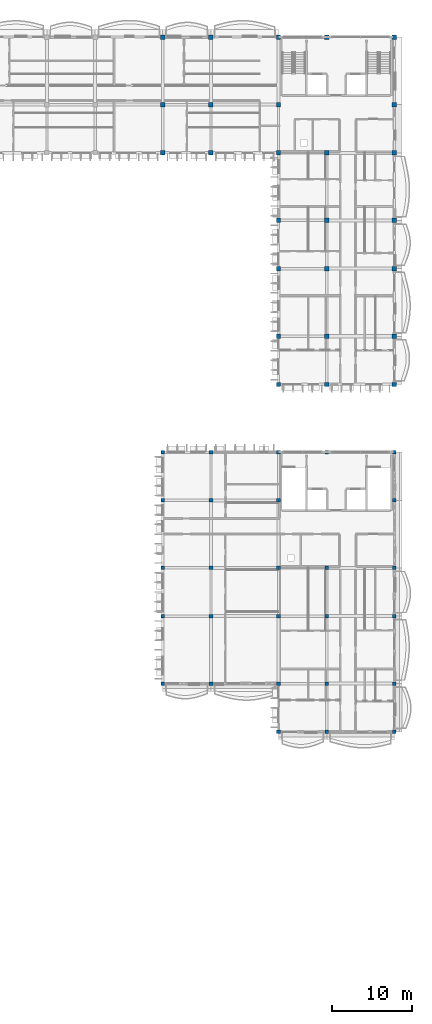
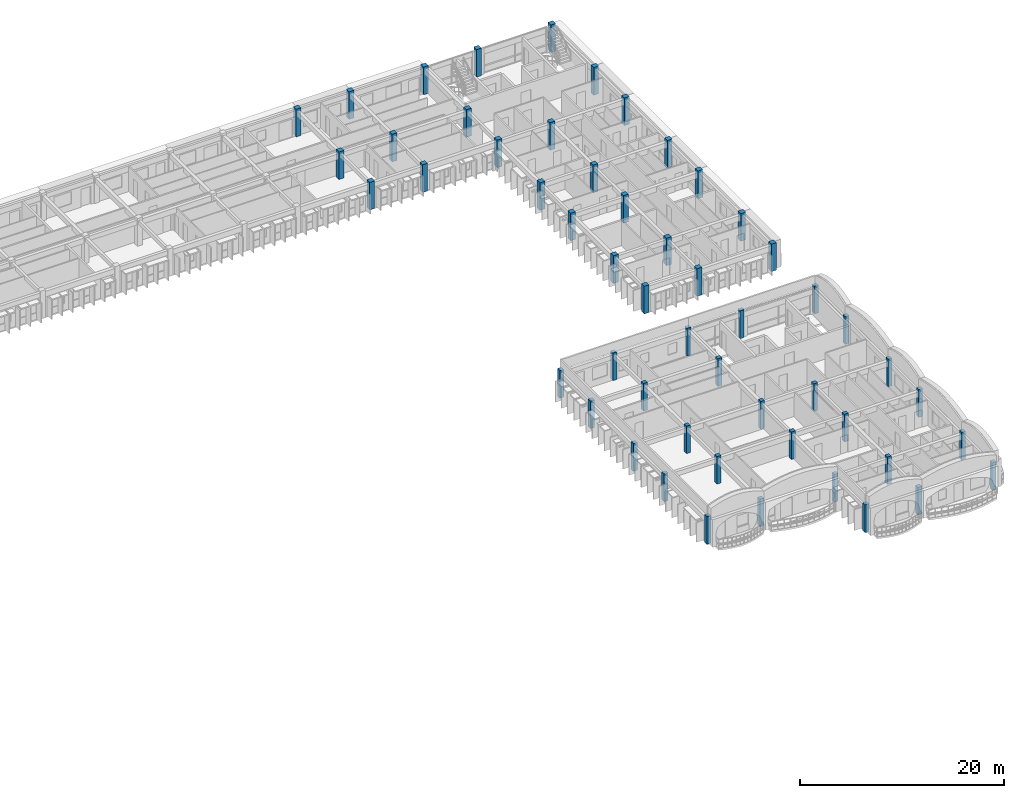
# One storey, part 2 of 59: 53 columns.
"""IFC4 building model written with IfcOpenShell, lengths in metres."""

from ifc_helpers import new_model, si_unit, direction, frame, origin, origin_2d, place, context, subcontext, project, spatial, rectangle, extrude, material, material_profile, profile_set, type_object, element, save


model = new_model("IFC4")

# Units and contexts
model_context = context("Model", 3, precision=1e-05, world=origin(), true_north=direction((0.0, 1.0)))
body_context = subcontext(model_context, "Body", "Model", "MODEL_VIEW")
ifc_project = project(units=[si_unit("LENGTHUNIT", "METRE"), si_unit("AREAUNIT", "SQUARE_METRE"), si_unit("VOLUMEUNIT", "CUBIC_METRE"), si_unit("PLANEANGLEUNIT", "RADIAN"), si_unit("MASSUNIT", "GRAM", prefix="KILO"), si_unit("THERMODYNAMICTEMPERATUREUNIT", "KELVIN")], contexts=[model_context])

# Site, building, storey
site_placement = place(None, origin())
site = spatial("IfcSite", under=ifc_project, at=site_placement, CompositionType="ELEMENT")
building_placement = place(site_placement, origin())
building = spatial("IfcBuilding", under=site, at=building_placement, Name="Thalorik Housing Commons", CompositionType="ELEMENT")
storey_placement = place(building_placement, frame((0.0, 0.0, 27.89990234375)))
storey = spatial("IfcBuildingStorey", under=building, at=storey_placement, Name="L08", CompositionType="ELEMENT", Elevation=27.89990234375)

# Columns
ifc_material = material(Name="Precast concrete C40/50", Category="concrete")
ifc_material_profile_1 = material_profile(ifc_material, rectangle(XDim=0.449951171875, YDim=0.449951171875, at=origin_2d()), Name="PC 450x450", Category="concrete")
ifc_profile_set_1 = profile_set([ifc_material_profile_1], Name="Precast concrete C40/50")
column_type_1 = type_object("IfcColumnType", Name="STR-COL-PC450", PredefinedType="COLUMN", material=ifc_profile_set_1)
for number, where, z_axis, x_axis, name in (
    (1, (138.0, 43.199951171875, 0.0), (0.0, 0.0, 1.0), (1.0, 0.0, 0.0), "L08 Column C-450"),
    (2, (138.0, 51.60009765625, 0.0), (0.0, 0.0, 1.0), (1.0, 0.0, 0.0), "L08 Column C-450"),
    (3, (138.0, 57.60009765625, 0.0), (0.0, 0.0, 1.0), (1.0, 0.0, 0.0), "L08 Column C-450"),
    (4, (138.0, 66.0, 0.0), (0.0, 0.0, 1.0), (1.0, 0.0, 0.0), "L08 Column C-450"),
    (5, (138.0, 72.0, 0.0), (0.0, 0.0, 1.0), (1.0, 0.0, 0.0), "L08 Column C-450"),
    (6, (144.0, 43.199951171875, 0.0), (0.0, 0.0, 1.0), (1.0, 0.0, 0.0), "L08 Column C-450"),
    (7, (144.0, 51.60009765625, 0.0), (0.0, 0.0, 1.0), (1.0, 0.0, 0.0), "L08 Column C-450"),
    (8, (144.0, 57.60009765625, 0.0), (0.0, 0.0, 1.0), (1.0, 0.0, 0.0), "L08 Column C-450"),
    (9, (144.0, 66.0, 0.0), (0.0, 0.0, 1.0), (1.0, 0.0, 0.0), "L08 Column C-450"),
    (10, (144.0, 72.0, 0.0), (0.0, 0.0, 1.0), (1.0, 0.0, 0.0), "L08 Column C-450"),
    (11, (152.39990234375, 37.199951171875, 0.0), (0.0, 0.0, 1.0), (1.0, 0.0, 0.0), "L08 Column C-450"),
    (12, (152.39990234375, 43.199951171875, 0.0), (0.0, 0.0, 1.0), (1.0, 0.0, 0.0), "L08 Column C-450"),
    (13, (152.39990234375, 51.60009765625, 0.0), (0.0, 0.0, 1.0), (1.0, 0.0, 0.0), "L08 Column C-450"),
    (14, (152.39990234375, 57.60009765625, 0.0), (0.0, 0.0, 1.0), (1.0, 0.0, 0.0), "L08 Column C-450"),
    (15, (152.39990234375, 66.0, 0.0), (0.0, 0.0, 1.0), (1.0, 0.0, 0.0), "L08 Column C-450"),
    (16, (152.39990234375, 72.0, 0.0), (0.0, 0.0, 1.0), (1.0, 0.0, 0.0), "L08 Column C-450"),
    (17, (158.39990234375, 37.199951171875, 0.0), (0.0, 0.0, 1.0), (1.0, 0.0, 0.0), "L08 Column C-450"),
    (18, (158.39990234375, 43.199951171875, 0.0), (0.0, 0.0, 1.0), (1.0, 0.0, 0.0), "L08 Column C-450"),
    (19, (158.39990234375, 51.60009765625, 0.0), (0.0, 0.0, 1.0), (1.0, 0.0, 0.0), "L08 Column C-450"),
    (20, (158.39990234375, 57.60009765625, 0.0), (0.0, 0.0, 1.0), (1.0, 0.0, 0.0), "L08 Column C-450"),
    (21, (158.39990234375, 72.0, 0.0), (0.0, 0.0, 1.0), (1.0, 0.0, 0.0), "L08 Column C-450"),
    (22, (166.800048828125, 37.199951171875, 0.0), (0.0, 0.0, 1.0), (1.0, 0.0, 0.0), "L08 Column C-450"),
    (23, (166.800048828125, 43.199951171875, 0.0), (0.0, 0.0, 1.0), (1.0, 0.0, 0.0), "L08 Column C-450"),
    (24, (166.800048828125, 51.60009765625, 0.0), (0.0, 0.0, 1.0), (1.0, 0.0, 0.0), "L08 Column C-450"),
    (25, (166.800048828125, 57.60009765625, 0.0), (0.0, 0.0, 1.0), (1.0, 0.0, 0.0), "L08 Column C-450"),
    (26, (166.800048828125, 66.0, 0.0), (0.0, 0.0, 1.0), (1.0, 0.0, 0.0), "L08 Column C-450"),
    (27, (166.800048828125, 72.0, 0.0), (0.0, 0.0, 1.0), (1.0, 0.0, 0.0), "L08 Column C-450"),
):
    element("IfcColumn", number, at=place(storey_placement, frame(where, z_axis=z_axis, x_axis=x_axis)), inside=storey, type_object=column_type_1, Name=name, PredefinedType="COLUMN", context=body_context, shape_type="SweptSolid", body=[
        extrude(rectangle(XDim=0.449951171875, YDim=0.449951171875, at=origin_2d()), origin(), (0.0, 0.0, 1.0), 3.300048828125),
    ])
ifc_material_profile_2 = material_profile(ifc_material, rectangle(XDim=0.550048828125, YDim=0.550048828125, at=origin_2d()), Name="PC 550x550", Category="concrete")
ifc_profile_set_2 = profile_set([ifc_material_profile_2], Name="Precast concrete C40/50")
column_type_2 = type_object("IfcColumnType", Name="STR-COL-PC550", PredefinedType="COLUMN", material=ifc_profile_set_2)
for number, where, z_axis, x_axis, name in (
    (28, (138.0, 109.199951171875, 0.0), (0.0, 0.0, 1.0), (1.0, 0.0, 0.0), "L08 Column C-550"),
    (29, (138.0, 115.199951171875, 0.0), (0.0, 0.0, 1.0), (1.0, 0.0, 0.0), "L08 Column C-550"),
    (30, (138.0, 123.60009765625, 0.0), (0.0, 0.0, 1.0), (1.0, 0.0, 0.0), "L08 Column C-550"),
    (31, (144.0, 109.199951171875, 0.0), (0.0, 0.0, 1.0), (1.0, 0.0, 0.0), "L08 Column C-550"),
    (32, (144.0, 115.199951171875, 0.0), (0.0, 0.0, 1.0), (1.0, 0.0, 0.0), "L08 Column C-550"),
    (33, (144.0, 123.60009765625, 0.0), (0.0, 0.0, 1.0), (1.0, 0.0, 0.0), "L08 Column C-550"),
    (34, (152.39990234375, 80.39990234375, 0.0), (0.0, 0.0, 1.0), (1.0, 0.0, 0.0), "L08 Column C-550"),
    (35, (152.39990234375, 86.39990234375, 0.0), (0.0, 0.0, 1.0), (1.0, 0.0, 0.0), "L08 Column C-550"),
    (36, (152.39990234375, 94.800048828125, 0.0), (0.0, 0.0, 1.0), (1.0, 0.0, 0.0), "L08 Column C-550"),
    (37, (152.39990234375, 100.800048828125, 0.0), (0.0, 0.0, 1.0), (1.0, 0.0, 0.0), "L08 Column C-550"),
    (38, (152.39990234375, 109.199951171875, 0.0), (0.0, 0.0, 1.0), (1.0, 0.0, 0.0), "L08 Column C-550"),
    (39, (152.39990234375, 115.199951171875, 0.0), (0.0, 0.0, 1.0), (1.0, 0.0, 0.0), "L08 Column C-550"),
    (40, (152.39990234375, 123.60009765625, 0.0), (0.0, 0.0, 1.0), (1.0, 0.0, 0.0), "L08 Column C-550"),
    (41, (158.39990234375, 80.39990234375, 0.0), (0.0, 0.0, 1.0), (1.0, 0.0, 0.0), "L08 Column C-550"),
    (42, (158.39990234375, 86.39990234375, 0.0), (0.0, 0.0, 1.0), (1.0, 0.0, 0.0), "L08 Column C-550"),
    (43, (158.39990234375, 94.800048828125, 0.0), (0.0, 0.0, 1.0), (1.0, 0.0, 0.0), "L08 Column C-550"),
    (44, (158.39990234375, 100.800048828125, 0.0), (0.0, 0.0, 1.0), (1.0, 0.0, 0.0), "L08 Column C-550"),
    (45, (158.39990234375, 109.199951171875, 0.0), (0.0, 0.0, 1.0), (1.0, 0.0, 0.0), "L08 Column C-550"),
    (46, (158.39990234375, 123.60009765625, 0.0), (0.0, 0.0, 1.0), (1.0, 0.0, 0.0), "L08 Column C-550"),
    (47, (166.800048828125, 80.39990234375, 0.0), (0.0, 0.0, 1.0), (1.0, 0.0, 0.0), "L08 Column C-550"),
    (48, (166.800048828125, 86.39990234375, 0.0), (0.0, 0.0, 1.0), (1.0, 0.0, 0.0), "L08 Column C-550"),
    (49, (166.800048828125, 94.800048828125, 0.0), (0.0, 0.0, 1.0), (1.0, 0.0, 0.0), "L08 Column C-550"),
    (50, (166.800048828125, 100.800048828125, 0.0), (0.0, 0.0, 1.0), (1.0, 0.0, 0.0), "L08 Column C-550"),
    (51, (166.800048828125, 109.199951171875, 0.0), (0.0, 0.0, 1.0), (1.0, 0.0, 0.0), "L08 Column C-550"),
    (52, (166.800048828125, 115.199951171875, 0.0), (0.0, 0.0, 1.0), (1.0, 0.0, 0.0), "L08 Column C-550"),
    (53, (166.800048828125, 123.60009765625, 0.0), (0.0, 0.0, 1.0), (1.0, 0.0, 0.0), "L08 Column C-550"),
):
    element("IfcColumn", number, at=place(storey_placement, frame(where, z_axis=z_axis, x_axis=x_axis)), inside=storey, type_object=column_type_2, Name=name, PredefinedType="COLUMN", context=body_context, shape_type="SweptSolid", body=[
        extrude(rectangle(XDim=0.550048828125, YDim=0.550048828125, at=origin_2d()), origin(), (0.0, 0.0, 1.0), 3.300048828125),
    ])

save(model, "model.ifc")
